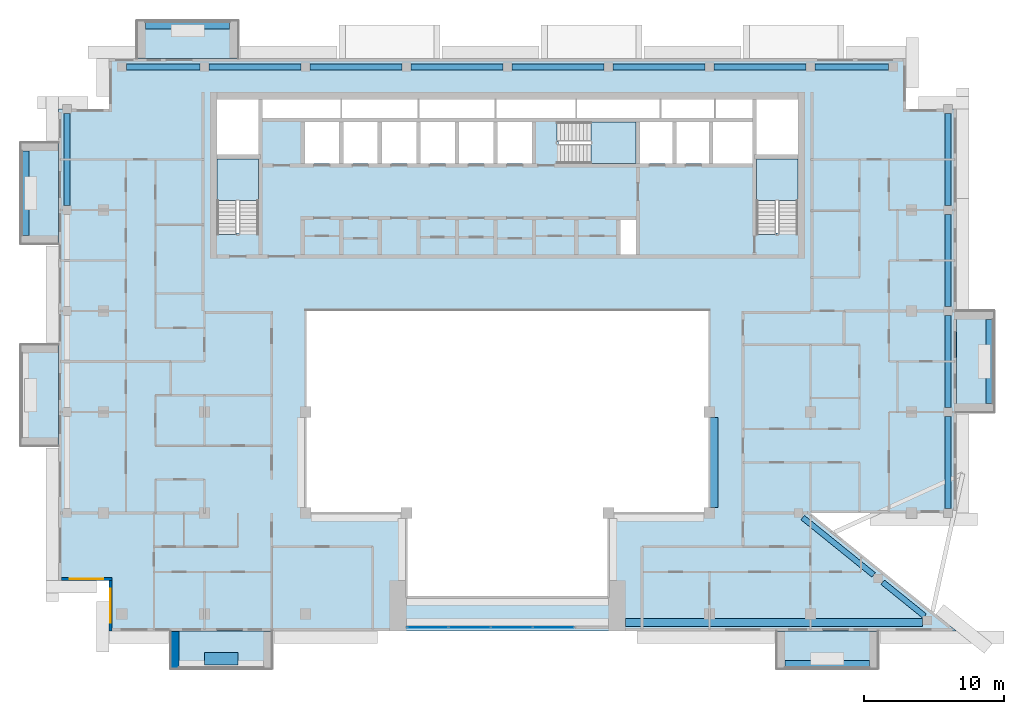
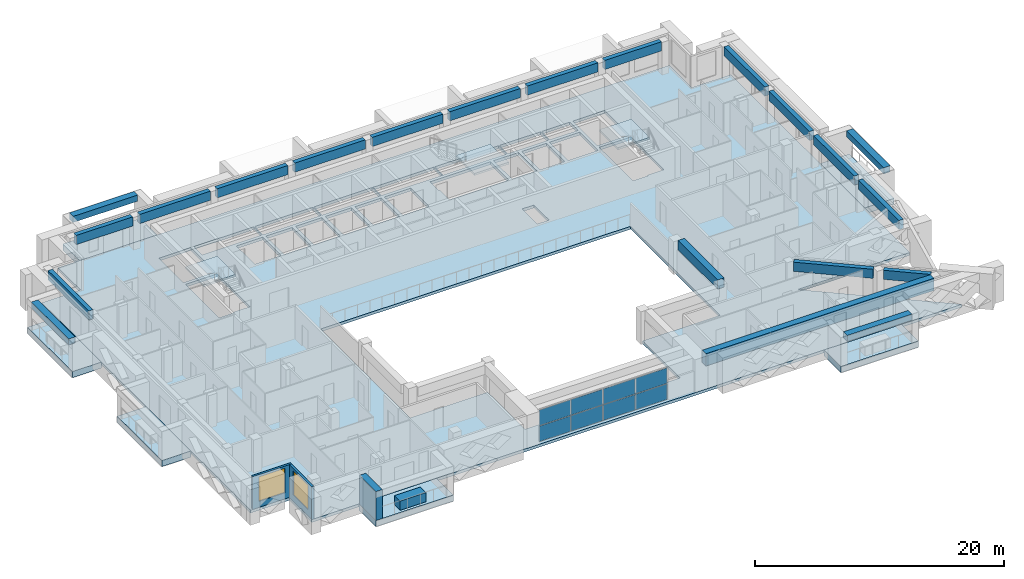
# One storey, part 5 of 19: 21 beams, 10 slabs, 8 plates, 4 walls, 2 windows, 2 openings, 4 elements without a shape of their own.
"""IFC4 building model written with IfcOpenShell, lengths in metres."""

from ifc_helpers import new_model, si_unit, direction, frame, frame_2d, origin, origin_2d, place, context, subcontext, project, spatial, polyline, rectangle, outline, extrude, source, transform, mapped, material, layer, layer_set, material_profile, profile_set, type_object, element, fill, aggregate, save


model = new_model("IFC4")

# Units and contexts
model_context = context("Model", 3, precision=1e-05, world=origin(), true_north=direction((0.0, 1.0)))
body_context = subcontext(model_context, "Body", "Model", "MODEL_VIEW")
ifc_project = project(units=[si_unit("LENGTHUNIT", "METRE"), si_unit("AREAUNIT", "SQUARE_METRE"), si_unit("VOLUMEUNIT", "CUBIC_METRE"), si_unit("PLANEANGLEUNIT", "RADIAN"), si_unit("MASSUNIT", "GRAM", prefix="KILO")], contexts=[model_context])

# Site, building, storey
site_placement = place(None, origin())
site = spatial("IfcSite", under=ifc_project, at=site_placement, CompositionType="ELEMENT")
building_placement = place(site_placement, origin())
building = spatial("IfcBuilding", under=site, at=building_placement, Name="Saffron Iwan Residences", CompositionType="ELEMENT")
storey_placement = place(building_placement, frame((0.0, 0.0, 239.5)))
storey = spatial("IfcBuildingStorey", under=building, at=storey_placement, Name="L64", CompositionType="ELEMENT", Elevation=239.5)

# Beams
ifc_material_1 = material(Name="Concrete C40/50", Category="concrete")
ifc_material_profile_1 = material_profile(ifc_material_1, rectangle(XDim=0.39990234375, YDim=0.89990234375, at=origin_2d()), Name="RC 400x900")
ifc_profile_set_1 = profile_set([ifc_material_profile_1], Name="Concrete C40/50")
beam_type_1 = type_object("IfcBeamType", Name="SPANDREL BEAM RC 400x900 C40/50 TOP 3220", PredefinedType="SPANDREL", material=ifc_profile_set_1)
shared_shape_1 = source(origin(), body_context, "Body", "SweptSolid", [
    extrude(rectangle(XDim=0.39990234375, YDim=0.89990234375, at=origin_2d()), origin(), (0.0, 0.0, 1.0), 3.839599609375),
])
beam_1_placement = place(storey_placement, frame((77.14794921875, 43.07080078125, 2.77001953125), z_axis=(0.777944766372, -0.628332667044, 0.0), x_axis=(0.628332667044, 0.777944766372, 0.0)))
element("IfcBeam", 1, at=beam_1_placement, inside=storey, type_object=beam_type_1, Name="Spandrel beam", PredefinedType="SPANDREL", context=body_context, shape_type="MappedRepresentation", body=[
    mapped(shared_shape_1, transform((0.0, 0.0, 0.0))),
])
shared_shape_2 = source(origin(), body_context, "Body", "SweptSolid", [
    extrude(rectangle(XDim=0.39990234375, YDim=0.89990234375, at=origin_2d()), origin(), (0.0, 0.0, 1.0), 6.4921875),
])
beam_2_placement = place(storey_placement, frame((71.447509765625, 47.675048828125, 2.77001953125), z_axis=(0.777936231257, -0.628343234305, 0.0), x_axis=(0.628343234305, 0.777936231257, 0.0)))
element("IfcBeam", 2, at=beam_2_placement, inside=storey, type_object=beam_type_1, Name="Spandrel beam", PredefinedType="SPANDREL", context=body_context, shape_type="MappedRepresentation", body=[
    mapped(shared_shape_2, transform((0.0, 0.0, 0.0))),
])
shared_shape_3 = source(origin(), body_context, "Body", "SweptSolid", [
    extrude(rectangle(XDim=0.39990234375, YDim=0.89990234375, at=origin_2d()), origin(), (0.0, 0.0, 1.0), 6.550048828125),
])
for number, where, z_axis, x_axis, name in (
    (3, (81.800048828125, 54.875, 2.77001953125), (0.0, -1.0, 0.0), (1.0, 0.0, 0.0), "Spandrel beam"),
    (4, (81.800048828125, 62.074951171875, 2.77001953125), (0.0, -1.0, 0.0), (1.0, 0.0, 0.0), "Spandrel beam"),
    (5, (19.0, 69.925048828125, 2.77001953125), (0.0, 1.0, 0.0), (-1.0, 0.0, 0.0), "Spandrel beam"),
    (6, (81.800048828125, 76.47509765625, 2.77001953125), (0.0, -1.0, 0.0), (1.0, 0.0, 0.0), "Spandrel beam"),
    (7, (29.125, 79.800048828125, 2.77001953125), (1.0, 0.0, 0.0), (0.0, 1.0, 0.0), "Spandrel beam"),
    (8, (36.324951171875, 79.800048828125, 2.77001953125), (1.0, 0.0, 0.0), (0.0, 1.0, 0.0), "Spandrel beam"),
    (9, (43.52490234375, 79.800048828125, 2.77001953125), (1.0, 0.0, 0.0), (0.0, 1.0, 0.0), "Spandrel beam"),
    (10, (57.925048828125, 79.800048828125, 2.77001953125), (1.0, 0.0, 0.0), (0.0, 1.0, 0.0), "Spandrel beam"),
    (11, (65.125, 79.800048828125, 2.77001953125), (1.0, 0.0, 0.0), (0.0, 1.0, 0.0), "Spandrel beam"),
):
    element("IfcBeam", number, at=place(storey_placement, frame(where, z_axis=z_axis, x_axis=x_axis)), inside=storey, type_object=beam_type_1, Name=name, PredefinedType="SPANDREL", context=body_context, shape_type="MappedRepresentation", body=[
        mapped(shared_shape_3, transform((0.0, 0.0, 0.0))),
    ])
shared_shape_4 = source(origin(), body_context, "Body", "SweptSolid", [
    extrude(rectangle(XDim=0.39990234375, YDim=0.89990234375, at=origin_2d()), origin(), (0.0, 0.0, 1.0), 6.5498046875),
])
for number, where, z_axis, x_axis, name in (
    (12, (81.800048828125, 69.27490234375, 2.77001953125), (0.0, -1.0, 0.0), (1.0, 0.0, 0.0), "Spandrel beam"),
    (13, (50.72509765625, 79.800048828125, 2.77001953125), (1.0, 0.0, 0.0), (0.0, 1.0, 0.0), "Spandrel beam"),
):
    element("IfcBeam", number, at=place(storey_placement, frame(where, z_axis=z_axis, x_axis=x_axis)), inside=storey, type_object=beam_type_1, Name=name, PredefinedType="SPANDREL", context=body_context, shape_type="MappedRepresentation", body=[
        mapped(shared_shape_4, transform((0.0, 0.0, 0.0))),
    ])
shared_shape_5 = source(origin(), body_context, "Body", "SweptSolid", [
    extrude(rectangle(XDim=0.39990234375, YDim=0.89990234375, at=origin_2d()), origin(), (0.0, 0.0, 1.0), 5.25),
])
for number, where, z_axis, x_axis, name in (
    (14, (23.22509765625, 79.800048828125, 2.77001953125), (1.0, 0.0, 0.0), (0.0, 1.0, 0.0), "Spandrel beam"),
    (15, (72.324951171875, 79.800048828125, 2.77001953125), (1.0, 0.0, 0.0), (0.0, 1.0, 0.0), "Spandrel beam"),
):
    element("IfcBeam", number, at=place(storey_placement, frame(where, z_axis=z_axis, x_axis=x_axis)), inside=storey, type_object=beam_type_1, Name=name, PredefinedType="SPANDREL", context=body_context, shape_type="MappedRepresentation", body=[
        mapped(shared_shape_5, transform((0.0, 0.0, 0.0))),
    ])
ifc_material_profile_2 = material_profile(ifc_material_1, rectangle(XDim=0.60009765625, YDim=1.199951171875, at=origin_2d()), Name="RC 600x1200")
ifc_profile_set_2 = profile_set([ifc_material_profile_2], Name="Concrete C40/50")
beam_type_2 = type_object("IfcBeamType", Name="LINTEL BEAM RC 600x1200 C40/50 TOP 3220", PredefinedType="LINTEL", material=ifc_profile_set_2)
shared_shape_6 = source(origin(), body_context, "Body", "SweptSolid", [
    extrude(rectangle(XDim=0.60009765625, YDim=1.199951171875, at=origin_2d()), origin(), (0.0, 0.0, 1.0), 21.20068359375),
])
beam_3_placement = place(storey_placement, frame((80.000732421875, 40.199951171875, 2.6201171875), z_axis=(-1.0, 0.0, 0.0), x_axis=(0.0, -1.0, 0.0)))
element("IfcBeam", 16, at=beam_3_placement, inside=storey, type_object=beam_type_2, Name="Lintel beam over the iwan", PredefinedType="LINTEL", context=body_context, shape_type="MappedRepresentation", body=[
    mapped(shared_shape_6, transform((0.0, 0.0, 0.0))),
])
ifc_material_profile_3 = material_profile(ifc_material_1, rectangle(XDim=0.60009765625, YDim=0.89990234375, at=origin_2d()), Name="RC 600x900")
ifc_profile_set_3 = profile_set([ifc_material_profile_3], Name="Concrete C40/50")
beam_type_3 = type_object("IfcBeamType", Name="BEAM RC 600x900 C40/50 TOP 3220", PredefinedType="BEAM", material=ifc_profile_set_3)
shared_shape_7 = source(origin(), body_context, "Body", "SweptSolid", [
    extrude(rectangle(XDim=0.60009765625, YDim=0.89990234375, at=origin_2d()), origin(), (0.0, 0.0, 1.0), 6.400146484375),
])
beam_4_placement = place(storey_placement, frame((65.10009765625, 54.800048828125, 2.77001953125), z_axis=(0.0, -1.0, 0.0), x_axis=(1.0, 0.0, 0.0)))
element("IfcBeam", 17, at=beam_4_placement, inside=storey, type_object=beam_type_3, Name="Atrium edge beam", PredefinedType="BEAM", context=body_context, shape_type="MappedRepresentation", body=[
    mapped(shared_shape_7, transform((0.0, 0.0, 0.0))),
])
ifc_material_2 = material(Name="Concrete C50/60 white painted", Category="concrete")
ifc_material_profile_4 = material_profile(ifc_material_2, rectangle(XDim=0.60009765625, YDim=0.60009765625, at=origin_2d()), Name="BALCONY FASCIA BEAM 600 x 600")
ifc_profile_set_4 = profile_set([ifc_material_profile_4], Name="Concrete C50/60 white painted")
beam_type_4 = type_object("IfcBeamType", Name="BALCONY FASCIA BEAM 600 x 600", PredefinedType="BEAM", material=ifc_profile_set_4)
shared_shape_8 = source(origin(), body_context, "Body", "SweptSolid", [
    extrude(rectangle(XDim=0.60009765625, YDim=0.60009765625, at=origin_2d()), origin(), (0.0, 0.0, 1.0), 6.0),
])
for number, where, z_axis, x_axis, name in (
    (18, (84.800048828125, 55.800048828125, 2.550048828125), (0.0, 1.0, 0.0), (-1.0, 0.0, 0.0), "Balcony fascia beam L64 F2-0"),
    (19, (30.60009765625, 82.800048828125, 2.550048828125), (-1.0, 0.0, 0.0), (0.0, -1.0, 0.0), "Balcony fascia beam L64 F5-3"),
    (20, (16.0, 73.800048828125, 2.550048828125), (0.0, -1.0, 0.0), (1.0, 0.0, 0.0), "Balcony fascia beam L64 F8-0"),
    (21, (70.199951171875, 37.199951171875, 2.550048828125), (1.0, 0.0, 0.0), (0.0, 1.0, 0.0), "Balcony fascia beam L64 11-1"),
):
    element("IfcBeam", number, at=place(storey_placement, frame(where, z_axis=z_axis, x_axis=x_axis)), inside=storey, type_object=beam_type_4, Name=name, PredefinedType="BEAM", context=body_context, shape_type="MappedRepresentation", body=[
        mapped(shared_shape_8, transform((0.0, 0.0, 0.0))),
    ])

# Slabs
ifc_layer_1 = layer(ifc_material_2, 0.60009765625)
ifc_layer_set_1 = layer_set([ifc_layer_1], Name="Concrete C50/60 white painted")
slab_type_1 = type_object("IfcSlabType", Name="BALCONY FRAME SLAB 600", PredefinedType="FLOOR", material=ifc_layer_set_1)
slab_1_placement = place(storey_placement, frame((0.0, 0.0, -0.60009765625)))
element("IfcSlab", 22, at=slab_1_placement, inside=storey, type_object=slab_type_1, Name="Balcony frame slab L64 F2-0", PredefinedType="FLOOR", context=body_context, shape_type="SweptSolid", body=[
    extrude(outline(polyline([(85.10009765625, 55.199951171875), (85.10009765625, 62.39990234375), (82.39990234375, 62.39990234375), (82.39990234375, 55.199951171875), (85.10009765625, 55.199951171875)])), origin(), (0.0, 0.0, 1.0), 0.60009765625),
])
slab_2_placement = place(storey_placement, frame((0.0, 0.0, -0.60009765625)))
element("IfcSlab", 23, at=slab_2_placement, inside=storey, type_object=slab_type_1, Name="Balcony frame slab L64 F5-3", PredefinedType="FLOOR", context=body_context, shape_type="SweptSolid", body=[
    extrude(outline(polyline([(31.199951171875, 83.10009765625), (24.0, 83.10009765625), (24.0, 80.39990234375), (31.199951171875, 80.39990234375), (31.199951171875, 83.10009765625)])), origin(), (0.0, 0.0, 1.0), 0.60009765625),
])
slab_3_placement = place(storey_placement, frame((0.0, 0.0, -0.60009765625)))
element("IfcSlab", 24, at=slab_3_placement, inside=storey, type_object=slab_type_1, Name="Balcony frame slab L64 F8-0", PredefinedType="FLOOR", context=body_context, shape_type="SweptSolid", body=[
    extrude(outline(polyline([(15.699951171875, 74.39990234375), (15.699951171875, 67.199951171875), (18.39990234375, 67.199951171875), (18.39990234375, 74.39990234375), (15.699951171875, 74.39990234375)])), origin(), (0.0, 0.0, 1.0), 0.60009765625),
])
slab_4_placement = place(storey_placement, frame((0.0, 0.0, -0.60009765625)))
element("IfcSlab", 25, at=slab_4_placement, inside=storey, type_object=slab_type_1, Name="Balcony frame slab L64 F8-1", PredefinedType="FLOOR", context=body_context, shape_type="SweptSolid", body=[
    extrude(outline(polyline([(15.699951171875, 60.0), (15.699951171875, 52.800048828125), (18.39990234375, 52.800048828125), (18.39990234375, 60.0), (15.699951171875, 60.0)])), origin(), (0.0, 0.0, 1.0), 0.60009765625),
])
slab_5_placement = place(storey_placement, frame((0.0, 0.0, -0.60009765625)))
element("IfcSlab", 26, at=slab_5_placement, inside=storey, type_object=slab_type_1, Name="Balcony frame slab L64 11-0", PredefinedType="FLOOR", context=body_context, shape_type="SweptSolid", body=[
    extrude(outline(polyline([(26.39990234375, 36.89990234375), (33.60009765625, 36.89990234375), (33.60009765625, 39.60009765625), (26.39990234375, 39.60009765625), (26.39990234375, 36.89990234375)])), origin(), (0.0, 0.0, 1.0), 0.60009765625),
])
slab_6_placement = place(storey_placement, frame((0.0, 0.0, -0.60009765625)))
element("IfcSlab", 27, at=slab_6_placement, inside=storey, type_object=slab_type_1, Name="Balcony frame slab L64 11-1", PredefinedType="FLOOR", context=body_context, shape_type="SweptSolid", body=[
    extrude(outline(polyline([(69.60009765625, 36.89990234375), (76.800048828125, 36.89990234375), (76.800048828125, 39.60009765625), (69.60009765625, 39.60009765625), (69.60009765625, 36.89990234375)])), origin(), (0.0, 0.0, 1.0), 0.60009765625),
])
ifc_layer_2 = layer(ifc_material_1, 0.280029296875)
ifc_layer_set_2 = layer_set([ifc_layer_2], Name="Concrete C40/50")
slab_type_2 = type_object("IfcSlabType", Name="PT PLATE 280 C40/50", PredefinedType="FLOOR", material=ifc_layer_set_2)
slab_7_placement = place(storey_placement, frame((0.0, 0.0, -0.280029296875)))
element("IfcSlab", 28, at=slab_7_placement, inside=storey, type_object=slab_type_2, Name="Floor slab L64", PredefinedType="FLOOR", context=body_context, shape_type="SweptSolid", body=[
    extrude(outline(polyline([(18.39990234375, 43.199951171875), (18.39990234375, 76.800048828125), (22.0, 76.800048828125), (22.0, 80.39990234375), (78.800048828125, 80.39990234375), (78.800048828125, 76.800048828125), (82.39990234375, 76.800048828125), (82.39990234375, 48.0), (72.0, 48.0), (82.39990234375, 39.60009765625), (22.0, 39.60009765625), (22.0, 43.199951171875), (18.39990234375, 43.199951171875)]), holes=[polyline([(64.800048828125, 48.0), (64.800048828125, 62.39990234375), (36.0, 62.39990234375), (36.0, 48.0), (43.199951171875, 48.0), (43.199951171875, 42.0), (57.60009765625, 42.0), (57.60009765625, 48.0), (64.800048828125, 48.0)]), polyline([(29.699951171875, 73.25), (29.699951171875, 67.949951171875), (29.699951171875, 67.8505859375), (31.10009765625, 67.8505859375), (31.10009765625, 67.949951171875), (32.64990234375, 67.949951171875), (32.64990234375, 73.25), (29.699951171875, 73.25)]), polyline([(38.39990234375, 75.875), (35.949951171875, 75.875), (35.949951171875, 72.925048828125), (38.39990234375, 72.925048828125), (38.39990234375, 75.875)]), polyline([(41.14990234375, 75.875), (38.699951171875, 75.875), (38.699951171875, 72.925048828125), (41.14990234375, 72.925048828125), (41.14990234375, 75.875)]), polyline([(43.89990234375, 72.925048828125), (43.89990234375, 75.875), (41.449951171875, 75.875), (41.449951171875, 72.925048828125), (43.89990234375, 72.925048828125)]), polyline([(46.64990234375, 72.925048828125), (46.64990234375, 75.875), (44.199951171875, 75.875), (44.199951171875, 72.925048828125), (46.64990234375, 72.925048828125)]), polyline([(49.39990234375, 75.875), (46.949951171875, 75.875), (46.949951171875, 72.925048828125), (49.39990234375, 72.925048828125), (49.39990234375, 75.875)]), polyline([(52.14990234375, 72.925048828125), (52.14990234375, 75.875), (49.699951171875, 75.875), (49.699951171875, 72.925048828125), (52.14990234375, 72.925048828125)]), polyline([(32.64990234375, 73.550048828125), (32.64990234375, 77.5), (29.699951171875, 77.5), (29.699951171875, 73.550048828125), (32.64990234375, 73.550048828125)]), polyline([(38.5, 77.5), (32.949951171875, 77.5), (32.949951171875, 76.175048828125), (38.5, 76.175048828125), (38.5, 77.5)]), polyline([(44.0, 76.175048828125), (44.0, 77.5), (38.60009765625, 77.5), (38.60009765625, 76.175048828125), (44.0, 76.175048828125)]), polyline([(49.5, 76.175048828125), (49.5, 77.5), (44.10009765625, 77.5), (44.10009765625, 76.175048828125), (49.5, 76.175048828125)]), polyline([(59.550048828125, 68.875), (58.449951171875, 68.875), (58.449951171875, 66.449951171875), (59.550048828125, 66.449951171875), (59.550048828125, 68.875)]), polyline([(68.14990234375, 73.25), (68.14990234375, 67.949951171875), (68.14990234375, 67.8505859375), (69.550048828125, 67.8505859375), (69.550048828125, 67.949951171875), (71.10009765625, 67.949951171875), (71.10009765625, 73.25), (68.14990234375, 73.25)]), polyline([(54.02490234375, 74.47509765625), (54.02490234375, 72.925048828125), (59.550048828125, 72.925048828125), (59.550048828125, 75.875), (54.02490234375, 75.875), (53.925537109375, 75.875), (53.925537109375, 74.47509765625), (54.02490234375, 74.47509765625)]), polyline([(62.14990234375, 72.925048828125), (62.14990234375, 75.875), (59.85009765625, 75.875), (59.85009765625, 72.925048828125), (62.14990234375, 72.925048828125)]), polyline([(64.75, 72.925048828125), (64.75, 75.875), (62.449951171875, 75.875), (62.449951171875, 72.925048828125), (64.75, 72.925048828125)]), polyline([(67.85009765625, 75.875), (65.050048828125, 75.875), (65.050048828125, 72.925048828125), (67.85009765625, 72.925048828125), (67.85009765625, 75.875)]), polyline([(71.10009765625, 73.550048828125), (71.10009765625, 77.5), (68.14990234375, 77.5), (68.14990234375, 73.550048828125), (71.10009765625, 73.550048828125)]), polyline([(55.25, 76.175048828125), (55.25, 77.5), (49.60009765625, 77.5), (49.60009765625, 76.175048828125), (55.25, 76.175048828125)]), polyline([(61.25, 77.5), (55.35009765625, 77.5), (55.35009765625, 76.175048828125), (61.25, 76.175048828125), (61.25, 77.5)]), polyline([(65.14990234375, 76.175048828125), (65.14990234375, 77.5), (61.35009765625, 77.5), (61.35009765625, 76.175048828125), (65.14990234375, 76.175048828125)]), polyline([(67.85009765625, 76.175048828125), (67.85009765625, 77.5), (65.25, 77.5), (65.25, 76.175048828125), (67.85009765625, 76.175048828125)])]), origin(), (0.0, 0.0, 1.0), 0.280029296875),
])

# Stair, slab
ifc_material_3 = material(Name="Concrete C50/60", Category="concrete")
stair_type = type_object("IfcStairType", Name="Stair ST-CORE", PredefinedType="HALF_TURN_STAIR", material=ifc_material_3)
stair_1_placement = place(storey_placement, origin())
stair_1 = element("IfcStair", 29, at=stair_1_placement, inside=storey, type_object=stair_type, Name="L64 Exit Stair ST-W", PredefinedType="HALF_TURN_STAIR")
ifc_layer_3 = layer(ifc_material_3, 0.199951171875)
ifc_layer_set_3 = layer_set([ifc_layer_3], Name="Concrete C50/60")
slab_type_3 = type_object("IfcSlabType", Name="Stair landing SL-RC", PredefinedType="LANDING", material=ifc_layer_set_3)
slab_8_placement = place(storey_placement, frame((0.0, 0.0, 1.5498046875)))
slab_8 = element("IfcSlab", 30, at=slab_8_placement, type_object=slab_type_3, Name="ST-W landing 1", PredefinedType="LANDING", context=body_context, shape_type="SweptSolid", body=[
    extrude(outline(polyline([(32.64990234375, 70.280029296875), (32.64990234375, 73.25), (29.699951171875, 73.25), (29.699951171875, 70.280029296875), (32.64990234375, 70.280029296875)])), origin(), (0.0, 0.0, 1.0), 0.2001953125),
])
aggregate(stair_1, [slab_8])

stair_2_placement = place(storey_placement, origin())
stair_2 = element("IfcStair", 31, at=stair_2_placement, inside=storey, type_object=stair_type, Name="L64 Exit Stair ST-C", PredefinedType="HALF_TURN_STAIR")
slab_9_placement = place(storey_placement, frame((0.0, 0.0, 1.5498046875)))
slab_9 = element("IfcSlab", 32, at=slab_9_placement, type_object=slab_type_3, Name="ST-C landing 1", PredefinedType="LANDING", context=body_context, shape_type="SweptSolid", body=[
    extrude(outline(polyline([(56.35498046875, 72.925048828125), (59.550048828125, 72.925048828125), (59.550048828125, 75.875), (56.35498046875, 75.875), (56.35498046875, 72.925048828125)])), origin(), (0.0, 0.0, 1.0), 0.2001953125),
])
aggregate(stair_2, [slab_9])

stair_3_placement = place(storey_placement, origin())
stair_3 = element("IfcStair", 33, at=stair_3_placement, inside=storey, type_object=stair_type, Name="L64 Exit Stair ST-E", PredefinedType="HALF_TURN_STAIR")
slab_10_placement = place(storey_placement, frame((0.0, 0.0, 1.5498046875)))
slab_10 = element("IfcSlab", 34, at=slab_10_placement, type_object=slab_type_3, Name="ST-E landing 1", PredefinedType="LANDING", context=body_context, shape_type="SweptSolid", body=[
    extrude(outline(polyline([(71.10009765625, 70.280029296875), (71.10009765625, 73.25), (68.14990234375, 73.25), (68.14990234375, 70.280029296875), (71.10009765625, 70.280029296875)])), origin(), (0.0, 0.0, 1.0), 0.2001953125),
])
aggregate(stair_3, [slab_10])

# Curtain wall, plates
ifc_material_4 = material(Name="Clear glass, laminated double glazed", Category="glass")
ifc_layer_4 = layer(ifc_material_4, 0.199951171875)
ifc_layer_set_4 = layer_set([ifc_layer_4], Name="Clear glass, laminated double glazed")
curtain_wall_type = type_object("IfcCurtainWallType", Name="CW-B IWAN PORTAL", PredefinedType="NOTDEFINED", material=ifc_layer_set_4)
curtain_wall_placement = place(storey_placement, origin())
curtain_wall = element("IfcCurtainWall", 35, at=curtain_wall_placement, inside=storey, type_object=curtain_wall_type, Name="Iwan portal glazing L64.1", PredefinedType="NOTDEFINED")
ifc_layer_5 = layer(ifc_material_4, 0.028076171875)
ifc_layer_set_5 = layer_set([ifc_layer_5], Name="Clear glass, laminated double glazed")
plate_type = type_object("IfcPlateType", Name="CW-B PANEL 28", PredefinedType="CURTAIN_PANEL", material=ifc_layer_set_5)
shared_shape_9 = source(origin(), body_context, "Body", "SweptSolid", [
    extrude(rectangle(XDim=2.909912109375, YDim=0.028076171875, at=origin_2d()), origin(), (0.0, 0.0, 1.0), 1.52001953125),
])
plate_1_placement = place(storey_placement, frame((44.715087890625, 39.85009765625, 0.06005859375), z_axis=(0.0, 0.0, 1.0), x_axis=(1.0, 0.0, 0.0)))
plate_1 = element("IfcPlate", 36, at=plate_1_placement, type_object=plate_type, Name="CW-B panel 1.1", PredefinedType="CURTAIN_PANEL", context=body_context, shape_type="MappedRepresentation", body=[
    mapped(shared_shape_9, transform((0.0, 0.0, 0.0))),
])
plate_2_placement = place(storey_placement, frame((44.715087890625, 39.85009765625, 1.639892578125), z_axis=(0.0, 0.0, 1.0), x_axis=(1.0, 0.0, 0.0)))
plate_2 = element("IfcPlate", 37, at=plate_2_placement, type_object=plate_type, Name="CW-B panel 1.2", PredefinedType="CURTAIN_PANEL", context=body_context, shape_type="MappedRepresentation", body=[
    mapped(shared_shape_9, transform((0.0, 0.0, 0.0))),
])
plate_3_placement = place(storey_placement, frame((53.68505859375, 39.85009765625, 0.06005859375), z_axis=(0.0, 0.0, 1.0), x_axis=(1.0, 0.0, 0.0)))
plate_3 = element("IfcPlate", 38, at=plate_3_placement, type_object=plate_type, Name="CW-B panel 4.1", PredefinedType="CURTAIN_PANEL", context=body_context, shape_type="MappedRepresentation", body=[
    mapped(shared_shape_9, transform((0.0, 0.0, 0.0))),
])
plate_4_placement = place(storey_placement, frame((53.68505859375, 39.85009765625, 1.639892578125), z_axis=(0.0, 0.0, 1.0), x_axis=(1.0, 0.0, 0.0)))
plate_4 = element("IfcPlate", 39, at=plate_4_placement, type_object=plate_type, Name="CW-B panel 4.2", PredefinedType="CURTAIN_PANEL", context=body_context, shape_type="MappedRepresentation", body=[
    mapped(shared_shape_9, transform((0.0, 0.0, 0.0))),
])
shared_shape_10 = source(origin(), body_context, "Body", "SweptSolid", [
    extrude(rectangle(XDim=2.93994140625, YDim=0.028076171875, at=origin_2d()), origin(), (0.0, 0.0, 1.0), 1.52001953125),
])
plate_5_placement = place(storey_placement, frame((47.699951171875, 39.85009765625, 0.06005859375), z_axis=(0.0, 0.0, 1.0), x_axis=(1.0, 0.0, 0.0)))
plate_5 = element("IfcPlate", 40, at=plate_5_placement, type_object=plate_type, Name="CW-B panel 2.1", PredefinedType="CURTAIN_PANEL", context=body_context, shape_type="MappedRepresentation", body=[
    mapped(shared_shape_10, transform((0.0, 0.0, 0.0))),
])
plate_6_placement = place(storey_placement, frame((47.699951171875, 39.85009765625, 1.639892578125), z_axis=(0.0, 0.0, 1.0), x_axis=(1.0, 0.0, 0.0)))
plate_6 = element("IfcPlate", 41, at=plate_6_placement, type_object=plate_type, Name="CW-B panel 2.2", PredefinedType="CURTAIN_PANEL", context=body_context, shape_type="MappedRepresentation", body=[
    mapped(shared_shape_10, transform((0.0, 0.0, 0.0))),
])
plate_7_placement = place(storey_placement, frame((50.699951171875, 39.85009765625, 0.06005859375), z_axis=(0.0, 0.0, 1.0), x_axis=(1.0, 0.0, 0.0)))
plate_7 = element("IfcPlate", 42, at=plate_7_placement, type_object=plate_type, Name="CW-B panel 3.1", PredefinedType="CURTAIN_PANEL", context=body_context, shape_type="MappedRepresentation", body=[
    mapped(shared_shape_10, transform((0.0, 0.0, 0.0))),
])
plate_8_placement = place(storey_placement, frame((50.699951171875, 39.85009765625, 1.639892578125), z_axis=(0.0, 0.0, 1.0), x_axis=(1.0, 0.0, 0.0)))
plate_8 = element("IfcPlate", 43, at=plate_8_placement, type_object=plate_type, Name="CW-B panel 3.2", PredefinedType="CURTAIN_PANEL", context=body_context, shape_type="MappedRepresentation", body=[
    mapped(shared_shape_10, transform((0.0, 0.0, 0.0))),
])
aggregate(curtain_wall, [plate_1, plate_2, plate_5, plate_6, plate_7, plate_8, plate_3, plate_4])

# Walls
ifc_layer_6 = layer(ifc_material_2, 0.60009765625)
ifc_layer_set_6 = layer_set([ifc_layer_6], Name="Concrete C50/60 white painted")
wall_type_1 = type_object("IfcWallType", Name="BALCONY FIN 600", PredefinedType="SOLIDWALL", material=ifc_layer_set_6)
wall_1_placement = place(storey_placement, frame((26.699951171875, 39.550048828125, 0.0), z_axis=(0.0, 0.0, 1.0), x_axis=(0.0, -1.0, 0.0)))
element("IfcWall", 44, at=wall_1_placement, inside=storey, type_object=wall_type_1, Name="Balcony fin L64 11-0a", PredefinedType="SOLIDWALL", context=body_context, shape_type="SweptSolid", body=[
    extrude(rectangle(XDim=2.650146484375, YDim=0.60009765625, at=frame_2d((1.3251953125, 0.0))), origin(), (0.0, 0.0, 1.0), 2.85009765625),
])
ifc_material_5 = material(Name="Concrete C35/45 white painted", Category="concrete")
ifc_layer_7 = layer(ifc_material_5, 0.14990234375)
ifc_layer_set_7 = layer_set([ifc_layer_7], Name="Concrete C35/45 white painted")
wall_type_2 = type_object("IfcWallType", Name="BALCONY PLANTER", PredefinedType="SOLIDWALL", material=ifc_layer_set_7)
wall_2_placement = place(storey_placement, frame((28.800048828125, 37.625, 0.0), z_axis=(0.0, 0.0, 1.0), x_axis=(1.0, 0.0, 0.0)))
element("IfcWall", 45, at=wall_2_placement, inside=storey, type_object=wall_type_2, Name="PLANTER L64 11-0", PredefinedType="SOLIDWALL", context=body_context, shape_type="SweptSolid", body=[
    extrude(rectangle(XDim=2.39990234375, YDim=0.89990234375, at=frame_2d((1.199951171875, 0.0))), origin(), (0.0, 0.0, 1.0), 0.89990234375),
])

# Wall, opening, window
ifc_layer_8 = layer(ifc_material_1, 0.199951171875)
ifc_layer_set_8 = layer_set([ifc_layer_8], Name="Concrete C40/50")
wall_type_3 = type_object("IfcWallType", Name="EXTERNAL WALL 200", PredefinedType="SOLIDWALL", material=ifc_layer_set_8)
wall_3_placement = place(storey_placement, frame((18.60009765625, 43.300048828125, 0.0), z_axis=(0.0, 0.0, 1.0), x_axis=(1.0, 0.0, 0.0)))
wall_3 = element("IfcWall", 46, at=wall_3_placement, inside=storey, type_object=wall_type_3, Name="External wall L64 F9.0", PredefinedType="SOLIDWALL", context=body_context, shape_type="SweptSolid", body=[
    extrude(rectangle(XDim=3.599853515625, YDim=0.199951171875, at=frame_2d((1.7998046875, 0.0))), origin(), (0.0, 0.0, 1.0), 3.219970703125),
])
opening_1_placement = place(wall_3_placement, frame((0.60009765625, 0.0, 0.60009765625)))
opening_1 = element("IfcOpeningElement", 47, at=opening_1_placement, cuts=wall_3, Name="Opening W1", PredefinedType="OPENING", context=body_context, shape_type="SweptSolid", body=[
    extrude(rectangle(XDim=2.39990234375, YDim=2.39990234375, at=frame_2d((1.199951171875, 1.199951171875))), frame((0.0, 0.10986328125, 0.0), z_axis=(0.0, -1.0, 0.0), x_axis=(1.0, 0.0, 0.0)), (0.0, 0.0, 1.0), 0.219970703125),
])
window_type = type_object("IfcWindowType", Name="WINDOW 2400 x 2400", PartitioningType="DOUBLE_PANEL_VERTICAL", PredefinedType="WINDOW", material=ifc_material_4)
window_1_placement = place(opening_1_placement, origin())
window_1 = element("IfcWindow", 48, at=window_1_placement, inside=storey, type_object=window_type, Name="Window L64 F9.0", OverallHeight=2.39990234375, OverallWidth=2.39990234375, PartitioningType="DOUBLE_PANEL_VERTICAL", PredefinedType="WINDOW", context=body_context, shape_type="SweptSolid", body=[
    extrude(rectangle(XDim=2.39990234375, YDim=2.39990234375, at=frame_2d((1.199951171875, 1.199951171875))), frame((0.0, 0.030029296875, 0.0), z_axis=(0.0, -1.0, 0.0), x_axis=(1.0, 0.0, 0.0)), (0.0, 0.0, 1.0), 0.06005859375),
])
fill(opening_1, window_1)

wall_4_placement = place(storey_placement, frame((22.10009765625, 43.199951171875, 0.0), z_axis=(0.0, 0.0, 1.0), x_axis=(0.0, -1.0, 0.0)))
wall_4 = element("IfcWall", 49, at=wall_4_placement, inside=storey, type_object=wall_type_3, Name="External wall L64 F10.0", PredefinedType="SOLIDWALL", context=body_context, shape_type="SweptSolid", body=[
    extrude(rectangle(XDim=3.599853515625, YDim=0.199951171875, at=frame_2d((1.7998046875, 0.0))), origin(), (0.0, 0.0, 1.0), 3.219970703125),
])
opening_2_placement = place(wall_4_placement, frame((0.60009765625, 0.0, 0.60009765625)))
opening_2 = element("IfcOpeningElement", 50, at=opening_2_placement, cuts=wall_4, Name="Opening W1", PredefinedType="OPENING", context=body_context, shape_type="SweptSolid", body=[
    extrude(rectangle(XDim=2.39990234375, YDim=2.39990234375, at=frame_2d((1.199951171875, 1.199951171875))), frame((0.0, 0.10986328125, 0.0), z_axis=(0.0, -1.0, 0.0), x_axis=(1.0, 0.0, 0.0)), (0.0, 0.0, 1.0), 0.219970703125),
])
window_2_placement = place(opening_2_placement, origin())
window_2 = element("IfcWindow", 51, at=window_2_placement, inside=storey, type_object=window_type, Name="Window L64 F10.0", OverallHeight=2.39990234375, OverallWidth=2.39990234375, PartitioningType="DOUBLE_PANEL_VERTICAL", PredefinedType="WINDOW", context=body_context, shape_type="SweptSolid", body=[
    extrude(rectangle(XDim=2.39990234375, YDim=2.39990234375, at=frame_2d((1.199951171875, 1.199951171875))), frame((0.0, 0.030029296875, 0.0), z_axis=(0.0, -1.0, 0.0), x_axis=(1.0, 0.0, 0.0)), (0.0, 0.0, 1.0), 0.06005859375),
])
fill(opening_2, window_2)

save(model, "model.ifc")
